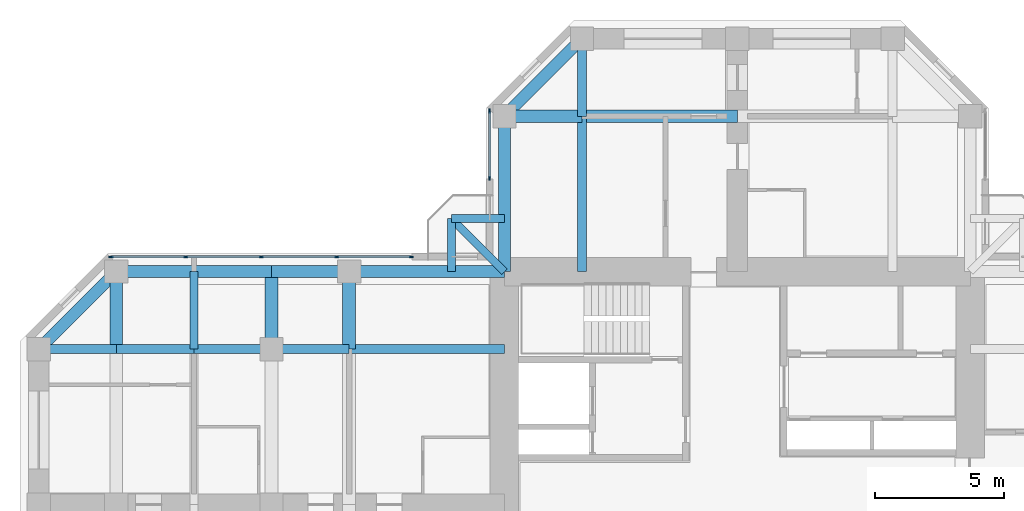
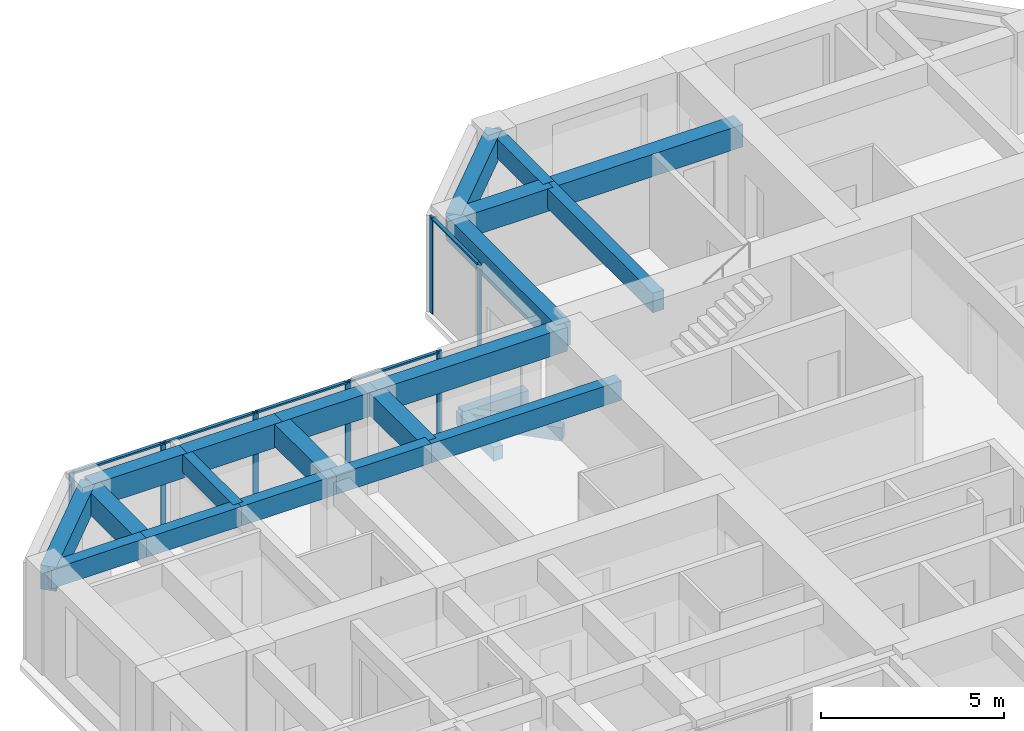
# One storey, part 5 of 13: 23 beams, 12 members, 2 elements without a shape of their own.
"""IFC4 building model written with IfcOpenShell, lengths in metres."""

import ifcopenshell
import ifcopenshell.guid

model = None  # the IFC model being written
_history = None  # IfcOwnerHistory: only IFC2X3 demands one
_inside = {}  # id of a spatial element -> (the spatial element, [elements in it])
_under = {}  # id of a project, library or spatial element -> (it, [spatial elements below it])
_declared = {}  # id of a project -> (the project, [libraries it declares])
_typed = {}  # id of a type object -> (the type object, [elements of that type])
_made_of = {}  # id of a material, layer set ... -> (it, [elements and type objects made of it])


def new_model(schema):
    """Start an empty IFC model of exactly this schema.

    Asked for "IFC4X3", IfcOpenShell would pick the latest addendum, in which some entities
    have other attributes; the version numbers below select the first issue.
    IFC2X3 requires an IfcOwnerHistory on every rooted entity: one is made here for all.
    """
    global model, _history
    if schema == "IFC4X3":
        model = ifcopenshell.file(schema_version=(4, 3, 0, 0))
    else:
        model = ifcopenshell.file(schema=schema)
    _inside.clear()
    _under.clear()
    _declared.clear()
    _typed.clear()
    _made_of.clear()
    _history = None
    if model.schema == "IFC2X3":
        org = make("IfcOrganization", Name="unknown")
        user = make(
            "IfcPersonAndOrganization",
            ThePerson=make("IfcPerson", FamilyName="unknown"),
            TheOrganization=org,
        )
        app = make(
            "IfcApplication",
            ApplicationDeveloper=org,
            Version="unknown",
            ApplicationFullName="unknown",
            ApplicationIdentifier="unknown",
        )
        _history = make(
            "IfcOwnerHistory",
            OwningUser=user,
            OwningApplication=app,
            ChangeAction="ADDED",
            CreationDate=0,
        )
    return model


def make(cls, **values):
    """One entity of the class cls with the attributes given. An attribute that is None is left unset."""
    return model.create_entity(
        cls, **{name: value for name, value in values.items() if value is not None}
    )


def rooted(cls, **values):
    """An entity with a GlobalId (a new one), such as an element, a storey or a relation."""
    return make(cls, GlobalId=ifcopenshell.guid.new(), OwnerHistory=_history, **values)


def si_unit(unit_type, name, prefix=None):
    """IfcSIUnit, for example si_unit("LENGTHUNIT", "METRE", prefix="MILLI")."""
    return make("IfcSIUnit", UnitType=unit_type, Prefix=prefix, Name=name)


def assignment(units):
    """IfcUnitAssignment: the units of a project."""
    return None if units is None else make("IfcUnitAssignment", Units=units)


def point(xyz):
    """IfcCartesianPoint."""
    return None if xyz is None else make("IfcCartesianPoint", Coordinates=xyz)


def direction(xyz):
    """IfcDirection."""
    return None if xyz is None else make("IfcDirection", DirectionRatios=xyz)


def frame(location, z_axis=None, x_axis=None):
    """IfcAxis2Placement3D, a coordinate frame: its origin and axes. An axis left out is left unset."""
    return make(
        "IfcAxis2Placement3D",
        Location=point(location),
        Axis=direction(z_axis),
        RefDirection=direction(x_axis),
    )


def frame_2d(location, x_axis=None):
    """IfcAxis2Placement2D, a coordinate frame in the plane: its origin and x axis."""
    return make(
        "IfcAxis2Placement2D", Location=point(location), RefDirection=direction(x_axis)
    )


def origin():
    """The frame at (0, 0, 0) with its axes left unset."""
    return frame((0.0, 0.0, 0.0))


def origin_2d():
    """The frame at (0, 0) in the plane with its x axis left unset."""
    return frame_2d((0.0, 0.0))


def place(relative_to, where):
    """IfcLocalPlacement: puts the frame where relative to a parent placement (None: the world)."""
    return make(
        "IfcLocalPlacement", PlacementRelTo=relative_to, RelativePlacement=where
    )


def context(
    kind, dimensions, precision=None, world=None, true_north=None, identifier=None
):
    """IfcGeometricRepresentationContext, for example the 3D "Model" context."""
    return make(
        "IfcGeometricRepresentationContext",
        ContextIdentifier=identifier,
        ContextType=kind,
        CoordinateSpaceDimension=dimensions,
        Precision=precision,
        WorldCoordinateSystem=world,
        TrueNorth=true_north,
    )


def subcontext(parent, identifier, kind, view, scale=None):
    """IfcGeometricRepresentationSubContext, for example "Body" below "Model"."""
    return make(
        "IfcGeometricRepresentationSubContext",
        ContextIdentifier=identifier,
        ContextType=kind,
        ParentContext=parent,
        TargetScale=scale,
        TargetView=view,
    )


def project(units=None, contexts=None):
    """IfcProject with its units and contexts."""
    return rooted(
        "IfcProject",
        Name="project",
        RepresentationContexts=contexts,
        UnitsInContext=assignment(units),
    )


def spatial(cls, under=None, at=None, **own):
    """A site, building, storey or space (cls), placed at a placement, below another one or the project."""
    s = rooted(cls, ObjectPlacement=at, **own)
    if under is not None:
        _under.setdefault(under.id(), (under, []))[1].append(s)
    return s


def profile(cls, at=None, kind="AREA", **sizes):
    """A parametric profile (cls). Its sizes go by their IFC names, for example OverallWidth=200.0."""
    return make(cls, ProfileType=kind, Position=at, **sizes)


def rectangle(**sizes):
    """IfcRectangleProfileDef."""
    return profile("IfcRectangleProfileDef", **sizes)


def extrude(swept, where, along, depth):
    """IfcExtrudedAreaSolid: the profile swept, set in the frame where, extruded along a direction by depth."""
    return make(
        "IfcExtrudedAreaSolid",
        SweptArea=swept,
        Position=where,
        ExtrudedDirection=direction(along),
        Depth=depth,
    )


def shape(context_of_items, identifier, shape_type, items):
    """IfcShapeRepresentation: the items that make up one representation, for example the "Body"."""
    return make(
        "IfcShapeRepresentation",
        ContextOfItems=context_of_items,
        RepresentationIdentifier=identifier,
        RepresentationType=shape_type,
        Items=items,
    )


def material(Name=None, Category=None):
    """IfcMaterial."""
    return make("IfcMaterial", Name=Name, Category=Category)


def material_profile(
    of_material, cross_section, Name=None, Category=None, Priority=None
):
    """IfcMaterialProfile: a cross section and its material."""
    return make(
        "IfcMaterialProfile",
        Name=Name,
        Material=of_material,
        Profile=cross_section,
        Priority=Priority,
        Category=Category,
    )


def profile_set(profiles, Name=None, composite=None):
    """IfcMaterialProfileSet."""
    return make(
        "IfcMaterialProfileSet",
        Name=Name,
        MaterialProfiles=profiles,
        CompositeProfile=composite,
    )


def made_of(thing, what):
    """Note that an element or type object is made of a material, layer set ...; save() writes the relation."""
    if what is not None:
        _made_of.setdefault(what.id(), (what, []))[1].append(thing)
    return thing


def type_object(cls, material=None, **own):
    """A type object (cls), such as IfcWallType, which elements share."""
    return made_of(rooted(cls, **own), material)


def element(
    cls,
    number,
    at=None,
    inside=None,
    cuts=None,
    type_object=None,
    material=None,
    context=None,
    identifier="Body",
    shape_type=None,
    held_by="IfcProductDefinitionShape",
    body=None,
    shapes=None,
    **own,
):
    """One element of the class cls, such as IfcWall. Its Tag is "e" and its number.

    at: its placement. inside: the storey or other place that contains it. cuts: it is an
    opening in that element (IfcRelVoidsElement). A single representation is given by context,
    identifier, shape_type and body (its items); several are given by shapes. held_by: the class
    of the entity that holds the representations. save() writes the other relations.
    """
    e = rooted(cls, Tag="e%d" % number, ObjectPlacement=at, **own)
    if body is not None:
        shapes = [shape(context, identifier, shape_type, body)]
    if shapes is not None:
        e.Representation = make(held_by, Representations=shapes)
    if inside is not None:
        _inside.setdefault(inside.id(), (inside, []))[1].append(e)
    if cuts is not None:
        rooted(
            "IfcRelVoidsElement", RelatingBuildingElement=cuts, RelatedOpeningElement=e
        )
    if type_object is not None:
        _typed.setdefault(type_object.id(), (type_object, []))[1].append(e)
    return made_of(e, material)


def aggregate(whole, parts):
    """IfcRelAggregates: a whole, such as a stair, and the parts it consists of."""
    return rooted("IfcRelAggregates", RelatingObject=whole, RelatedObjects=parts)


def save(model, path):
    """Write the relations noted so far, then the file.

    IfcRelAggregates (storeys below a building ...), IfcRelContainedInSpatialStructure (elements
    in a storey), IfcRelDefinesByType, IfcRelAssociatesMaterial and IfcRelDeclares: one each for
    every whole, place, type object, material and project.
    """
    for whole, parts in _under.values():
        aggregate(whole, parts)
    for where, things in _inside.values():
        rooted(
            "IfcRelContainedInSpatialStructure",
            RelatedElements=things,
            RelatingStructure=where,
        )
    for kind, things in _typed.values():
        rooted("IfcRelDefinesByType", RelatedObjects=things, RelatingType=kind)
    for what, things in _made_of.values():
        rooted("IfcRelAssociatesMaterial", RelatedObjects=things, RelatingMaterial=what)
    for by, libraries in _declared.values():
        rooted("IfcRelDeclares", RelatingContext=by, RelatedDefinitions=libraries)
    model.write(path)


model = new_model("IFC4")

# Units and contexts
model_context = context("Model", 3, precision=1e-05, world=origin(), true_north=direction((0.0, 1.0)))
body_context = subcontext(model_context, "Body", "Model", "MODEL_VIEW")
ifc_project = project(units=[si_unit("LENGTHUNIT", "METRE"), si_unit("AREAUNIT", "SQUARE_METRE"), si_unit("VOLUMEUNIT", "CUBIC_METRE"), si_unit("PLANEANGLEUNIT", "RADIAN"), si_unit("MASSUNIT", "GRAM", prefix="KILO")], contexts=[model_context])

# Site, building, storey
site_placement = place(None, origin())
site = spatial("IfcSite", under=ifc_project, at=site_placement, CompositionType="ELEMENT")
building_placement = place(site_placement, origin())
building = spatial("IfcBuilding", under=site, at=building_placement, Name="Torre Cruceta", CompositionType="ELEMENT")
storey_placement = place(building_placement, frame((0.0, 0.0, 193.300048828125)))
storey = spatial("IfcBuildingStorey", under=building, at=storey_placement, Name="L48", CompositionType="ELEMENT", Elevation=193.300048828125)

# Beams
ifc_material_1 = material(Name="Concrete G60 (fck 60 MPa)", Category="concrete")
ifc_material_profile_1 = material_profile(ifc_material_1, rectangle(XDim=0.300048828125, YDim=0.449951171875, at=origin_2d()), Name="RC 300X450")
ifc_profile_set_1 = profile_set([ifc_material_profile_1], Name="Concrete G60 (fck 60 MPa)")
beam_type_1 = type_object("IfcBeamType", Name="BALCONY CANTILEVER BEAM RC 300X450", PredefinedType="BEAM", material=ifc_profile_set_1)
beam_1_placement = place(storey_placement, frame((-9.0, 9.0, -0.405029296875), z_axis=(-0.707106781187, 0.707106781187, 0.0), x_axis=(-0.707106781187, -0.707106781187, 0.0)))
element("IfcBeam", 1, at=beam_1_placement, inside=storey, type_object=beam_type_1, Name="BB1 balcony beam L48 N", PredefinedType="BEAM", context=body_context, shape_type="SweptSolid", body=[
    extrude(rectangle(XDim=0.300048828125, YDim=0.449951171875, at=origin_2d()), origin(), (0.0, 0.0, 1.0), 2.89990234375),
])
for number, where, z_axis, x_axis, name in (
    (2, (-11.050537109375, 9.0, -0.405029296875), (0.0, 1.0, 0.0), (-1.0, 0.0, 0.0), "BB1 balcony edge beam L48 N-X"),
    (3, (-9.0, 11.050537109375, -0.405029296875), (-1.0, 0.0, 0.0), (0.0, -1.0, 0.0), "BB1 balcony edge beam L48 N-Y"),
):
    element("IfcBeam", number, at=place(storey_placement, frame(where, z_axis=z_axis, x_axis=x_axis)), inside=storey, type_object=beam_type_1, Name=name, PredefinedType="BEAM", context=body_context, shape_type="SweptSolid", body=[
        extrude(rectangle(XDim=0.300048828125, YDim=0.449951171875, at=origin_2d()), origin(), (0.0, 0.0, 1.0), 2.050537109375),
    ])
ifc_material_2 = material(Name="Concrete G60 (fck 60 MPa)", Category="concrete")
ifc_material_profile_2 = material_profile(ifc_material_2, rectangle(XDim=0.35009765625, YDim=0.64990234375, at=origin_2d()), Name="RC 350X650")
ifc_profile_set_2 = profile_set([ifc_material_profile_2], Name="Concrete G60 (fck 60 MPa)")
beam_type_2 = type_object("IfcBeamType", Name="COLUMN LINE BEAM RC 350X650", PredefinedType="BEAM", material=ifc_profile_set_2)
beam_2_placement = place(storey_placement, frame((-6.0, 9.0, 2.89501953125), z_axis=(0.0, 1.0, 0.0), x_axis=(-1.0, 0.0, 0.0)))
element("IfcBeam", 4, at=beam_2_placement, inside=storey, type_object=beam_type_2, Name="LB7 L48 N col+ 1", PredefinedType="BEAM", context=body_context, shape_type="SweptSolid", body=[
    extrude(rectangle(XDim=0.35009765625, YDim=0.64990234375, at=origin_2d()), origin(), (0.0, 0.0, 1.0), 6.0),
])
beam_3_placement = place(storey_placement, frame((-6.0, 15.0, 2.89501953125), z_axis=(0.0, 1.0, 0.0), x_axis=(-1.0, 0.0, 0.0)))
element("IfcBeam", 5, at=beam_3_placement, inside=storey, type_object=beam_type_2, Name="LB7 L48 N col+ 2", PredefinedType="BEAM", context=body_context, shape_type="SweptSolid", body=[
    extrude(rectangle(XDim=0.35009765625, YDim=0.64990234375, at=origin_2d()), origin(), (0.0, 0.0, 1.0), 3.0),
])
beam_4_placement = place(storey_placement, frame((-9.0, 6.0, 2.89501953125), z_axis=(-1.0, 0.0, 0.0), x_axis=(0.0, -1.0, 0.0)))
element("IfcBeam", 6, at=beam_4_placement, inside=storey, type_object=beam_type_2, Name="LB7 L48 W col- 1", PredefinedType="BEAM", context=body_context, shape_type="SweptSolid", body=[
    extrude(rectangle(XDim=0.35009765625, YDim=0.64990234375, at=origin_2d()), origin(), (0.0, 0.0, 1.0), 6.0),
])
for number, where, z_axis, x_axis, name in (
    (7, (-15.0, 6.0, 2.89501953125), (-1.0, 0.0, 0.0), (0.0, -1.0, 0.0), "LB7 L48 W col- 2"),
    (8, (-18.0, 6.0, 2.89501953125), (-1.0, 0.0, 0.0), (0.0, -1.0, 0.0), "LB7 L48 W col- 3"),
    (9, (-21.0, 6.0, 2.89501953125), (-1.0, 0.0, 0.0), (0.0, -1.0, 0.0), "LB7 L48 W col- 4"),
    (10, (-24.0, 6.0, 2.89501953125), (-1.0, 0.0, 0.0), (0.0, -1.0, 0.0), "LB7 L48 W col- 5"),
):
    element("IfcBeam", number, at=place(storey_placement, frame(where, z_axis=z_axis, x_axis=x_axis)), inside=storey, type_object=beam_type_2, Name=name, PredefinedType="BEAM", context=body_context, shape_type="SweptSolid", body=[
        extrude(rectangle(XDim=0.35009765625, YDim=0.64990234375, at=origin_2d()), origin(), (0.0, 0.0, 1.0), 3.0),
    ])
ifc_material_3 = material(Name="Concrete G60 (fck 60 MPa)", Category="concrete")
ifc_material_profile_3 = material_profile(ifc_material_3, rectangle(XDim=0.5, YDim=0.75, at=origin_2d()), Name="RC 500X750")
ifc_profile_set_3 = profile_set([ifc_material_profile_3], Name="Concrete G60 (fck 60 MPa)")
beam_type_3 = type_object("IfcBeamType", Name="CROSS BEAM RC 500X750", PredefinedType="BEAM", material=ifc_profile_set_3)
beam_5_placement = place(storey_placement, frame((0.0, 15.0, 2.844970703125), z_axis=(-1.0, 0.0, 0.0), x_axis=(0.0, -1.0, 0.0)))
element("IfcBeam", 11, at=beam_5_placement, inside=storey, type_object=beam_type_3, Name="GB6 L48 N cross15 3", PredefinedType="BEAM", context=body_context, shape_type="SweptSolid", body=[
    extrude(rectangle(XDim=0.5, YDim=0.75, at=origin_2d()), origin(), (0.0, 0.0, 1.0), 6.0),
])
for number, where, z_axis, x_axis, name in (
    (12, (-6.0, 15.0, 2.844970703125), (-1.0, 0.0, 0.0), (0.0, -1.0, 0.0), "GB6 L48 N cross15 4"),
    (13, (-15.0, 9.0, 2.844970703125), (0.0, -1.0, 0.0), (1.0, 0.0, 0.0), "GB6 L48 W cross15 1"),
    (14, (-18.0, 9.0, 2.844970703125), (0.0, -1.0, 0.0), (1.0, 0.0, 0.0), "GB6 L48 W cross18 1"),
    (15, (-24.0, 9.0, 2.844970703125), (0.0, -1.0, 0.0), (1.0, 0.0, 0.0), "GB6 L48 W cross24 1"),
):
    element("IfcBeam", number, at=place(storey_placement, frame(where, z_axis=z_axis, x_axis=x_axis)), inside=storey, type_object=beam_type_3, Name=name, PredefinedType="BEAM", context=body_context, shape_type="SweptSolid", body=[
        extrude(rectangle(XDim=0.5, YDim=0.75, at=origin_2d()), origin(), (0.0, 0.0, 1.0), 3.0),
    ])

# Curtain wall, members
ifc_material_4 = material(Name="Aluminium unitised curtain wall", Category="aluminium")
curtain_wall_type = type_object("IfcCurtainWallType", Name="CURTAIN WALL CW-C CO-LIVING", PredefinedType="USERDEFINED", material=ifc_material_4)
curtain_wall_1_placement = place(storey_placement, origin())
curtain_wall_1 = element("IfcCurtainWall", 16, at=curtain_wall_1_placement, inside=storey, type_object=curtain_wall_type, Name="CW-C L48 N side 09", ObjectType="UNITISED", PredefinedType="USERDEFINED")
ifc_material_5 = material(Name="Aluminium mullion", Category="aluminium")
ifc_material_profile_4 = material_profile(ifc_material_5, rectangle(XDim=0.06005859375, YDim=0.159912109375, at=origin_2d()), Name="AL 60X160")
ifc_profile_set_4 = profile_set([ifc_material_profile_4], Name="Aluminium mullion")
member_type_1 = type_object("IfcMemberType", Name="CW-C MULLION 60X160", PredefinedType="MULLION", material=ifc_profile_set_4)
member_1_placement = place(storey_placement, frame((-9.570068359375, 15.2060546875, 0.0), z_axis=(0.0, 0.0, 1.0), x_axis=(1.0, 0.0, 0.0)))
member_1 = element("IfcMember", 17, at=member_1_placement, type_object=member_type_1, Name="CW-C mullion 1", PredefinedType="MULLION", context=body_context, shape_type="SweptSolid", body=[
    extrude(rectangle(XDim=0.06005859375, YDim=0.159912109375, at=origin_2d()), origin(), (0.0, 0.0, 1.0), 3.219970703125),
])
member_2_placement = place(storey_placement, frame((-9.570068359375, 12.60009765625, 0.0), z_axis=(0.0, 0.0, 1.0), x_axis=(1.0, 0.0, 0.0)))
member_2 = element("IfcMember", 18, at=member_2_placement, type_object=member_type_1, Name="CW-C mullion 2", PredefinedType="MULLION", context=body_context, shape_type="SweptSolid", body=[
    extrude(rectangle(XDim=0.06005859375, YDim=0.159912109375, at=origin_2d()), origin(), (0.0, 0.0, 1.0), 3.219970703125),
])

curtain_wall_2_placement = place(storey_placement, origin())
curtain_wall_2 = element("IfcCurtainWall", 19, at=curtain_wall_2_placement, inside=storey, type_object=curtain_wall_type, Name="CW-C L48 W side 10", ObjectType="UNITISED", PredefinedType="USERDEFINED")
member_3_placement = place(storey_placement, frame((-12.60009765625, 9.570068359375, 0.0), z_axis=(0.0, 0.0, 1.0), x_axis=(0.0, -1.0, 0.0)))
member_3 = element("IfcMember", 20, at=member_3_placement, type_object=member_type_1, Name="CW-C mullion 1", PredefinedType="MULLION", context=body_context, shape_type="SweptSolid", body=[
    extrude(rectangle(XDim=0.06005859375, YDim=0.159912109375, at=origin_2d()), origin(), (0.0, 0.0, 1.0), 3.219970703125),
])
member_4_placement = place(storey_placement, frame((-15.486572265625, 9.570068359375, 0.0), z_axis=(0.0, 0.0, 1.0), x_axis=(0.0, -1.0, 0.0)))
member_4 = element("IfcMember", 21, at=member_4_placement, type_object=member_type_1, Name="CW-C mullion 2", PredefinedType="MULLION", context=body_context, shape_type="SweptSolid", body=[
    extrude(rectangle(XDim=0.06005859375, YDim=0.159912109375, at=origin_2d()), origin(), (0.0, 0.0, 1.0), 3.219970703125),
])
member_5_placement = place(storey_placement, frame((-18.403076171875, 9.570068359375, 0.0), z_axis=(0.0, 0.0, 1.0), x_axis=(0.0, -1.0, 0.0)))
member_5 = element("IfcMember", 22, at=member_5_placement, type_object=member_type_1, Name="CW-C mullion 3", PredefinedType="MULLION", context=body_context, shape_type="SweptSolid", body=[
    extrude(rectangle(XDim=0.06005859375, YDim=0.159912109375, at=origin_2d()), origin(), (0.0, 0.0, 1.0), 3.219970703125),
])
member_6_placement = place(storey_placement, frame((-21.319580078125, 9.570068359375, 0.0), z_axis=(0.0, 0.0, 1.0), x_axis=(0.0, -1.0, 0.0)))
member_6 = element("IfcMember", 23, at=member_6_placement, type_object=member_type_1, Name="CW-C mullion 4", PredefinedType="MULLION", context=body_context, shape_type="SweptSolid", body=[
    extrude(rectangle(XDim=0.06005859375, YDim=0.159912109375, at=origin_2d()), origin(), (0.0, 0.0, 1.0), 3.219970703125),
])
member_7_placement = place(storey_placement, frame((-24.2060546875, 9.570068359375, 0.0), z_axis=(0.0, 0.0, 1.0), x_axis=(0.0, -1.0, 0.0)))
member_7 = element("IfcMember", 24, at=member_7_placement, type_object=member_type_1, Name="CW-C mullion 5", PredefinedType="MULLION", context=body_context, shape_type="SweptSolid", body=[
    extrude(rectangle(XDim=0.06005859375, YDim=0.159912109375, at=origin_2d()), origin(), (0.0, 0.0, 1.0), 3.219970703125),
])

# Member
ifc_material_6 = material(Name="Aluminium transom", Category="aluminium")
ifc_material_profile_5 = material_profile(ifc_material_6, rectangle(XDim=0.10009765625, YDim=0.06005859375, at=origin_2d()), Name="AL 100X60")
ifc_profile_set_5 = profile_set([ifc_material_profile_5], Name="Aluminium transom")
member_type_2 = type_object("IfcMemberType", Name="CW-C TRANSOM 60X100", PredefinedType="USERDEFINED", material=ifc_profile_set_5)
member_8_placement = place(storey_placement, frame((-9.570068359375, 15.176025390625, 3.18994140625), z_axis=(0.0, -1.0, 0.0), x_axis=(1.0, 0.0, 0.0)))
member_8 = element("IfcMember", 25, at=member_8_placement, type_object=member_type_2, Name="CW-C transom 1", ObjectType="TRANSOM", PredefinedType="USERDEFINED", context=body_context, shape_type="SweptSolid", body=[
    extrude(rectangle(XDim=0.10009765625, YDim=0.06005859375, at=origin_2d()), origin(), (0.0, 0.0, 1.0), 2.546142578125),
])

aggregate(curtain_wall_1, [member_1, member_2, member_8])

member_9_placement = place(storey_placement, frame((-12.6298828125, 9.570068359375, 3.18994140625), z_axis=(-1.0, 0.0, 0.0), x_axis=(0.0, -1.0, 0.0)))
member_9 = element("IfcMember", 26, at=member_9_placement, type_object=member_type_2, Name="CW-C transom 1", ObjectType="TRANSOM", PredefinedType="USERDEFINED", context=body_context, shape_type="SweptSolid", body=[
    extrude(rectangle(XDim=0.10009765625, YDim=0.06005859375, at=origin_2d()), origin(), (0.0, 0.0, 1.0), 2.82666015625),
])

member_10_placement = place(storey_placement, frame((-15.5166015625, 9.570068359375, 3.18994140625), z_axis=(-1.0, 0.0, 0.0), x_axis=(0.0, -1.0, 0.0)))
member_10 = element("IfcMember", 27, at=member_10_placement, type_object=member_type_2, Name="CW-C transom 2", ObjectType="TRANSOM", PredefinedType="USERDEFINED", context=body_context, shape_type="SweptSolid", body=[
    extrude(rectangle(XDim=0.10009765625, YDim=0.06005859375, at=origin_2d()), origin(), (0.0, 0.0, 1.0), 2.8564453125),
])

member_11_placement = place(storey_placement, frame((-18.43310546875, 9.570068359375, 3.18994140625), z_axis=(-1.0, 0.0, 0.0), x_axis=(0.0, -1.0, 0.0)))
member_11 = element("IfcMember", 28, at=member_11_placement, type_object=member_type_2, Name="CW-C transom 3", ObjectType="TRANSOM", PredefinedType="USERDEFINED", context=body_context, shape_type="SweptSolid", body=[
    extrude(rectangle(XDim=0.10009765625, YDim=0.06005859375, at=origin_2d()), origin(), (0.0, 0.0, 1.0), 2.8564453125),
])

member_12_placement = place(storey_placement, frame((-21.349609375, 9.570068359375, 3.18994140625), z_axis=(-1.0, 0.0, 0.0), x_axis=(0.0, -1.0, 0.0)))
member_12 = element("IfcMember", 29, at=member_12_placement, type_object=member_type_2, Name="CW-C transom 4", ObjectType="TRANSOM", PredefinedType="USERDEFINED", context=body_context, shape_type="SweptSolid", body=[
    extrude(rectangle(XDim=0.10009765625, YDim=0.06005859375, at=origin_2d()), origin(), (0.0, 0.0, 1.0), 2.826416015625),
])

aggregate(curtain_wall_2, [member_3, member_4, member_5, member_6, member_7, member_9, member_10, member_11, member_12])

# Beams
ifc_material_7 = material(Name="Concrete G60 (fck 60 MPa)", Category="concrete")
ifc_material_profile_6 = material_profile(ifc_material_7, rectangle(XDim=0.300048828125, YDim=0.60009765625, at=origin_2d()), Name="RC 300X600")
ifc_profile_set_6 = profile_set([ifc_material_profile_6], Name="Concrete G60 (fck 60 MPa)")
beam_type_4 = type_object("IfcBeamType", Name="SECONDARY BEAM RC 300X600", PredefinedType="JOIST", material=ifc_profile_set_6)
beam_6_placement = place(storey_placement, frame((-21.0, 9.0, 2.919921875), z_axis=(0.0, -1.0, 0.0), x_axis=(1.0, 0.0, 0.0)))
element("IfcBeam", 30, at=beam_6_placement, inside=storey, type_object=beam_type_4, Name="JB6 L48 W sec21 1", PredefinedType="JOIST", context=body_context, shape_type="SweptSolid", body=[
    extrude(rectangle(XDim=0.300048828125, YDim=0.60009765625, at=origin_2d()), origin(), (0.0, 0.0, 1.0), 3.0),
])
ifc_material_8 = material(Name="Concrete G60 (fck 60 MPa)", Category="concrete")
ifc_material_profile_7 = material_profile(ifc_material_8, rectangle(XDim=0.449951171875, YDim=0.800048828125, at=origin_2d()), Name="RC 450X800")
ifc_profile_set_7 = profile_set([ifc_material_profile_7], Name="Concrete G60 (fck 60 MPa)")
beam_type_5 = type_object("IfcBeamType", Name="SPANDREL BEAM RC 450X800", PredefinedType="SPANDREL", material=ifc_profile_set_7)
beam_7_placement = place(storey_placement, frame((-9.0, 9.0, 2.820068359375), z_axis=(0.0, 1.0, 0.0), x_axis=(-1.0, 0.0, 0.0)))
element("IfcBeam", 31, at=beam_7_placement, inside=storey, type_object=beam_type_5, Name="SB6 L48 N side+ 1", PredefinedType="SPANDREL", context=body_context, shape_type="SweptSolid", body=[
    extrude(rectangle(XDim=0.449951171875, YDim=0.800048828125, at=origin_2d()), origin(), (0.0, 0.0, 1.0), 6.0),
])
beam_8_placement = place(storey_placement, frame((-9.0, 15.0, 2.820068359375), z_axis=(0.707106781187, 0.707106781187, 0.0), x_axis=(-0.707106781187, 0.707106781187, 0.0)))
element("IfcBeam", 32, at=beam_8_placement, inside=storey, type_object=beam_type_5, Name="SB6 L48 N side+ 2", PredefinedType="SPANDREL", context=body_context, shape_type="SweptSolid", body=[
    extrude(rectangle(XDim=0.449951171875, YDim=0.800048828125, at=origin_2d()), origin(), (0.0, 0.0, 1.0), 4.24267578125),
])
beam_9_placement = place(storey_placement, frame((-9.0, 9.0, 2.820068359375), z_axis=(-1.0, 0.0, 0.0), x_axis=(0.0, -1.0, 0.0)))
element("IfcBeam", 33, at=beam_9_placement, inside=storey, type_object=beam_type_5, Name="SB6 L48 W side- 1", PredefinedType="SPANDREL", context=body_context, shape_type="SweptSolid", body=[
    extrude(rectangle(XDim=0.449951171875, YDim=0.800048828125, at=origin_2d()), origin(), (0.0, 0.0, 1.0), 6.0),
])
for number, where, z_axis, x_axis, name in (
    (34, (-15.0, 9.0, 2.820068359375), (-1.0, 0.0, 0.0), (0.0, -1.0, 0.0), "SB6 L48 W side- 2"),
    (35, (-18.0, 9.0, 2.820068359375), (-1.0, 0.0, 0.0), (0.0, -1.0, 0.0), "SB6 L48 W side- 3"),
    (36, (-21.0, 9.0, 2.820068359375), (-1.0, 0.0, 0.0), (0.0, -1.0, 0.0), "SB6 L48 W side- 4"),
):
    element("IfcBeam", number, at=place(storey_placement, frame(where, z_axis=z_axis, x_axis=x_axis)), inside=storey, type_object=beam_type_5, Name=name, PredefinedType="SPANDREL", context=body_context, shape_type="SweptSolid", body=[
        extrude(rectangle(XDim=0.449951171875, YDim=0.800048828125, at=origin_2d()), origin(), (0.0, 0.0, 1.0), 3.0),
    ])
beam_10_placement = place(storey_placement, frame((-24.0, 9.0, 2.820068359375), z_axis=(-0.707106781187, -0.707106781187, 0.0), x_axis=(0.707106781187, -0.707106781187, 0.0)))
element("IfcBeam", 37, at=beam_10_placement, inside=storey, type_object=beam_type_5, Name="SB6 L48 W side- 5", PredefinedType="SPANDREL", context=body_context, shape_type="SweptSolid", body=[
    extrude(rectangle(XDim=0.449951171875, YDim=0.800048828125, at=origin_2d()), origin(), (0.0, 0.0, 1.0), 4.24267578125),
])

save(model, "model.ifc")
